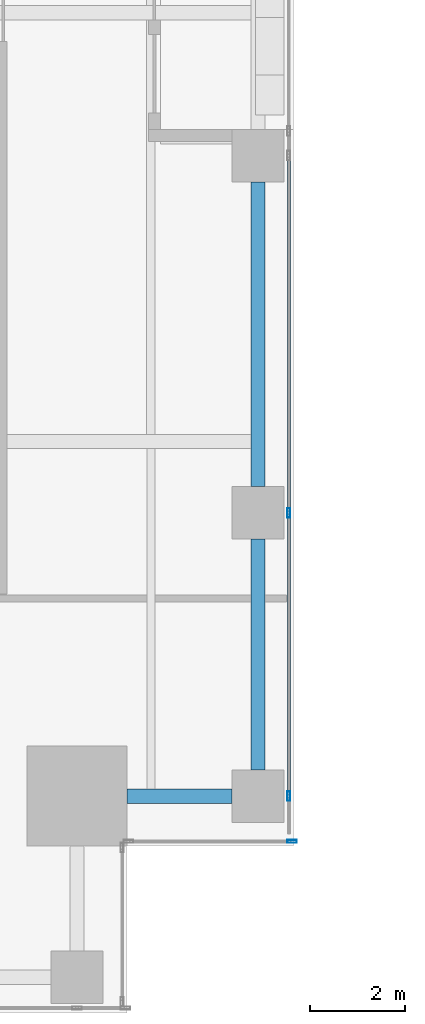
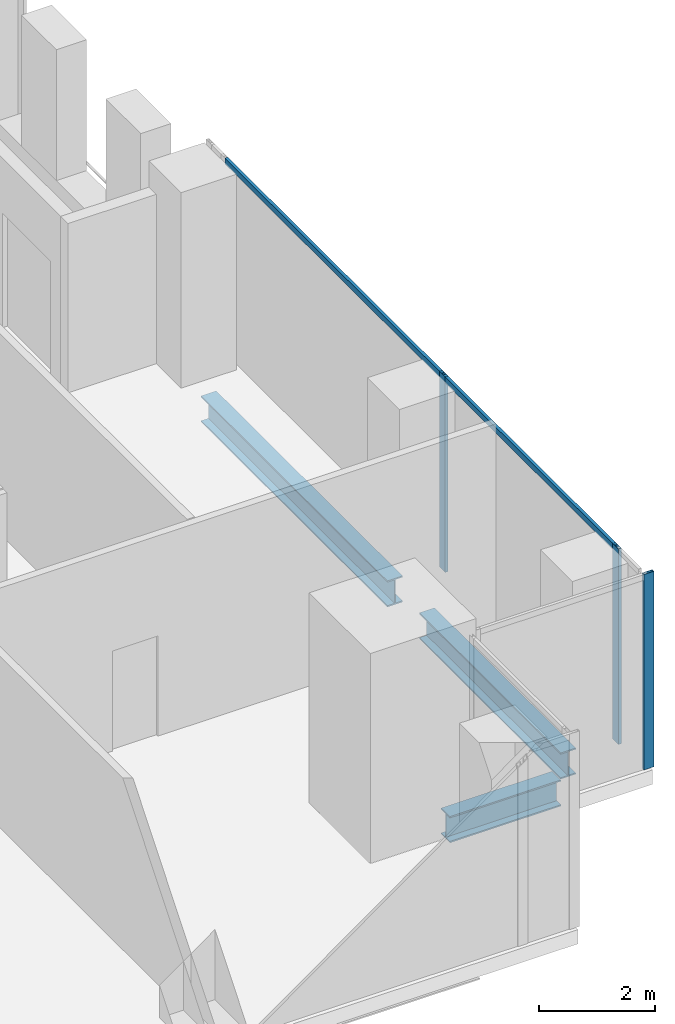
# One storey, part 11 of 34: 5 members, 3 beams, 2 elements without a shape of their own.
"""IFC4 building model written with IfcOpenShell, lengths in metres."""

from ifc_helpers import new_model, si_unit, direction, frame, origin, origin_2d, place, context, subcontext, project, spatial, hollow_rectangle, i_section, extrude, source, transform, mapped, material, material_profile, profile_set, type_object, element, aggregate, save


model = new_model("IFC4")

# Units and contexts
model_context = context("Model", 3, precision=1e-05, world=origin(), true_north=direction((0.0, 1.0)))
body_context = subcontext(model_context, "Body", "Model", "MODEL_VIEW")
ifc_project = project(units=[si_unit("LENGTHUNIT", "METRE"), si_unit("AREAUNIT", "SQUARE_METRE"), si_unit("VOLUMEUNIT", "CUBIC_METRE"), si_unit("PLANEANGLEUNIT", "RADIAN"), si_unit("MASSUNIT", "GRAM", prefix="KILO")], contexts=[model_context])

# Site, building, storey
site_placement = place(None, origin())
site = spatial("IfcSite", under=ifc_project, at=site_placement, CompositionType="ELEMENT")
building_placement = place(site_placement, origin())
building = spatial("IfcBuilding", under=site, at=building_placement, Name="Khomas Fold Tower", CompositionType="ELEMENT")
storey_placement = place(building_placement, frame((0.0, 0.0, 145.5)))
storey = spatial("IfcBuildingStorey", under=building, at=storey_placement, Name="L31", CompositionType="ELEMENT", Elevation=145.5)

# Beams
ifc_material_1 = material(Name="Steel S355", Category="steel")
ifc_material_profile_1 = material_profile(ifc_material_1, i_section(OverallWidth=0.300048828125, OverallDepth=0.550048828125, WebThickness=0.014892578125, FlangeThickness=0.029052734375, at=origin_2d()), Name="HE 550 B")
ifc_profile_set_1 = profile_set([ifc_material_profile_1], Name="Steel S355")
beam_type = type_object("IfcBeamType", Name="HE 550 B spandrel SB2", PredefinedType="SPANDREL", material=ifc_profile_set_1)
shared_shape_1 = source(origin(), body_context, "Body", "SweptSolid", [
    extrude(i_section(OverallWidth=0.300048828125, OverallDepth=0.550048828125, WebThickness=0.014892578125, FlangeThickness=0.029052734375, at=origin_2d()), origin(), (0.0, 0.0, 1.0), 4.849853515625),
])
beam_1_placement = place(storey_placement, frame((51.75, 6.60009765625, -0.574951171875), z_axis=(0.0, 1.0, 0.0), x_axis=(-1.0, 0.0, 0.0)))
element("IfcBeam", 1, at=beam_1_placement, inside=storey, type_object=beam_type, Name="SB2", PredefinedType="SPANDREL", context=body_context, shape_type="MappedRepresentation", body=[
    mapped(shared_shape_1, transform((0.0, 0.0, 0.0))),
])
shared_shape_2 = source(origin(), body_context, "Body", "SweptSolid", [
    extrude(i_section(OverallWidth=0.300048828125, OverallDepth=0.550048828125, WebThickness=0.014892578125, FlangeThickness=0.029052734375, at=origin_2d()), origin(), (0.0, 0.0, 1.0), 6.39990234375),
])
beam_2_placement = place(storey_placement, frame((51.75, 12.550048828125, -0.574951171875), z_axis=(0.0, 1.0, 0.0), x_axis=(-1.0, 0.0, 0.0)))
element("IfcBeam", 2, at=beam_2_placement, inside=storey, type_object=beam_type, Name="SB2", PredefinedType="SPANDREL", context=body_context, shape_type="MappedRepresentation", body=[
    mapped(shared_shape_2, transform((0.0, 0.0, 0.0))),
])
shared_shape_3 = source(origin(), body_context, "Body", "SweptSolid", [
    extrude(i_section(OverallWidth=0.300048828125, OverallDepth=0.550048828125, WebThickness=0.014892578125, FlangeThickness=0.029052734375, at=origin_2d()), origin(), (0.0, 0.0, 1.0), 2.199951171875),
])
beam_3_placement = place(storey_placement, frame((49.0, 6.050048828125, -0.574951171875), z_axis=(1.0, 0.0, 0.0), x_axis=(0.0, 1.0, 0.0)))
element("IfcBeam", 3, at=beam_3_placement, inside=storey, type_object=beam_type, Name="SB2", PredefinedType="SPANDREL", context=body_context, shape_type="MappedRepresentation", body=[
    mapped(shared_shape_3, transform((0.0, 0.0, 0.0))),
])

# Curtain wall, member
ifc_material_2 = material(Name="Aluminium framed double glazing", Category="aluminium")
curtain_wall_type = type_object("IfcCurtainWallType", Name="SK-Unitised clear-glass wall, growing floors CW1", PredefinedType="NOTDEFINED", material=ifc_material_2)
curtain_wall_1_placement = place(storey_placement, origin())
curtain_wall_1 = element("IfcCurtainWall", 4, at=curtain_wall_1_placement, inside=storey, type_object=curtain_wall_type, Name="CW1 run L31 03-0", PredefinedType="NOTDEFINED")
ifc_material_3 = material(Name="Aluminium", Category="aluminium")
ifc_material_profile_2 = material_profile(ifc_material_3, hollow_rectangle(XDim=0.06005859375, YDim=0.1201171875, WallThickness=0.00390625, at=origin_2d()), Name="SK-Unitised clear-glass wall, growing floors transom CW1-T")
ifc_profile_set_2 = profile_set([ifc_material_profile_2], Name="Aluminium")
member_type_1 = type_object("IfcMemberType", Name="SK-Unitised clear-glass wall, growing floors transom CW1-T", PredefinedType="USERDEFINED", material=ifc_profile_set_2)
shared_shape_4 = source(origin(), body_context, "Body", "SweptSolid", [
    extrude(hollow_rectangle(XDim=0.06005859375, YDim=0.1201171875, WallThickness=0.00390625, at=origin_2d()), origin(), (0.0, 0.0, 1.0), 7.43994140625),
])
member_1_placement = place(storey_placement, frame((52.39990234375, 12.030029296875, 4.0400390625), z_axis=(0.0, 1.0, 0.0), x_axis=(-1.0, 0.0, 0.0)))
member_1 = element("IfcMember", 5, at=member_1_placement, type_object=member_type_1, Name="CW1 transom 3", ObjectType="TRANSOM", PredefinedType="USERDEFINED", context=body_context, shape_type="MappedRepresentation", body=[
    mapped(shared_shape_4, transform((0.0, 0.0, 0.0))),
])

curtain_wall_2_placement = place(storey_placement, origin())
curtain_wall_2 = element("IfcCurtainWall", 6, at=curtain_wall_2_placement, inside=storey, type_object=curtain_wall_type, Name="CW1 corner return L31 02", PredefinedType="NOTDEFINED")
ifc_material_4 = material(Name="Aluminium", Category="aluminium")
ifc_material_profile_3 = material_profile(ifc_material_4, hollow_rectangle(XDim=0.06005859375, YDim=0.199951171875, WallThickness=0.00390625, at=origin_2d()), Name="SK-Unitised clear-glass wall, growing floors mullion CW1-M")
ifc_profile_set_3 = profile_set([ifc_material_profile_3], Name="Aluminium")
member_type_2 = type_object("IfcMemberType", Name="SK-Unitised clear-glass wall, growing floors mullion CW1-M", PredefinedType="MULLION", material=ifc_profile_set_3)
shared_shape_5 = source(origin(), body_context, "Body", "SweptSolid", [
    extrude(hollow_rectangle(XDim=0.06005859375, YDim=0.199951171875, WallThickness=0.00390625, at=origin_2d()), origin(), (0.0, 0.0, 1.0), 4.10009765625),
])
member_2_placement = place(storey_placement, frame((52.469970703125, 5.10009765625, 0.0), z_axis=(0.0, 0.0, 1.0), x_axis=(0.0, 1.0, 0.0)))
member_2 = element("IfcMember", 7, at=member_2_placement, type_object=member_type_2, Name="CW1 mullion 2", PredefinedType="MULLION", context=body_context, shape_type="MappedRepresentation", body=[
    mapped(shared_shape_5, transform((0.0, 0.0, 0.0))),
])
aggregate(curtain_wall_2, [member_2])

# Member
member_3_placement = place(storey_placement, frame((52.39990234375, 6.050048828125, 0.0), z_axis=(0.0, 0.0, 1.0), x_axis=(-1.0, 0.0, 0.0)))
member_3 = element("IfcMember", 8, at=member_3_placement, type_object=member_type_2, Name="CW1 mullion 2", PredefinedType="MULLION", context=body_context, shape_type="MappedRepresentation", body=[
    mapped(shared_shape_5, transform((0.0, 0.0, 0.0))),
])

member_4_placement = place(storey_placement, frame((52.39990234375, 12.0, 0.0), z_axis=(0.0, 0.0, 1.0), x_axis=(-1.0, 0.0, 0.0)))
member_4 = element("IfcMember", 9, at=member_4_placement, type_object=member_type_2, Name="CW1 mullion 3", PredefinedType="MULLION", context=body_context, shape_type="MappedRepresentation", body=[
    mapped(shared_shape_5, transform((0.0, 0.0, 0.0))),
])

shared_shape_6 = source(origin(), body_context, "Body", "SweptSolid", [
    extrude(hollow_rectangle(XDim=0.06005859375, YDim=0.1201171875, WallThickness=0.00390625, at=origin_2d()), origin(), (0.0, 0.0, 1.0), 5.889892578125),
])
member_5_placement = place(storey_placement, frame((52.39990234375, 6.080078125, 4.0400390625), z_axis=(0.0, 1.0, 0.0), x_axis=(-1.0, 0.0, 0.0)))
member_5 = element("IfcMember", 10, at=member_5_placement, type_object=member_type_1, Name="CW1 transom 2", ObjectType="TRANSOM", PredefinedType="USERDEFINED", context=body_context, shape_type="MappedRepresentation", body=[
    mapped(shared_shape_6, transform((0.0, 0.0, 0.0))),
])

aggregate(curtain_wall_1, [member_3, member_4, member_5, member_1])

save(model, "model.ifc")
